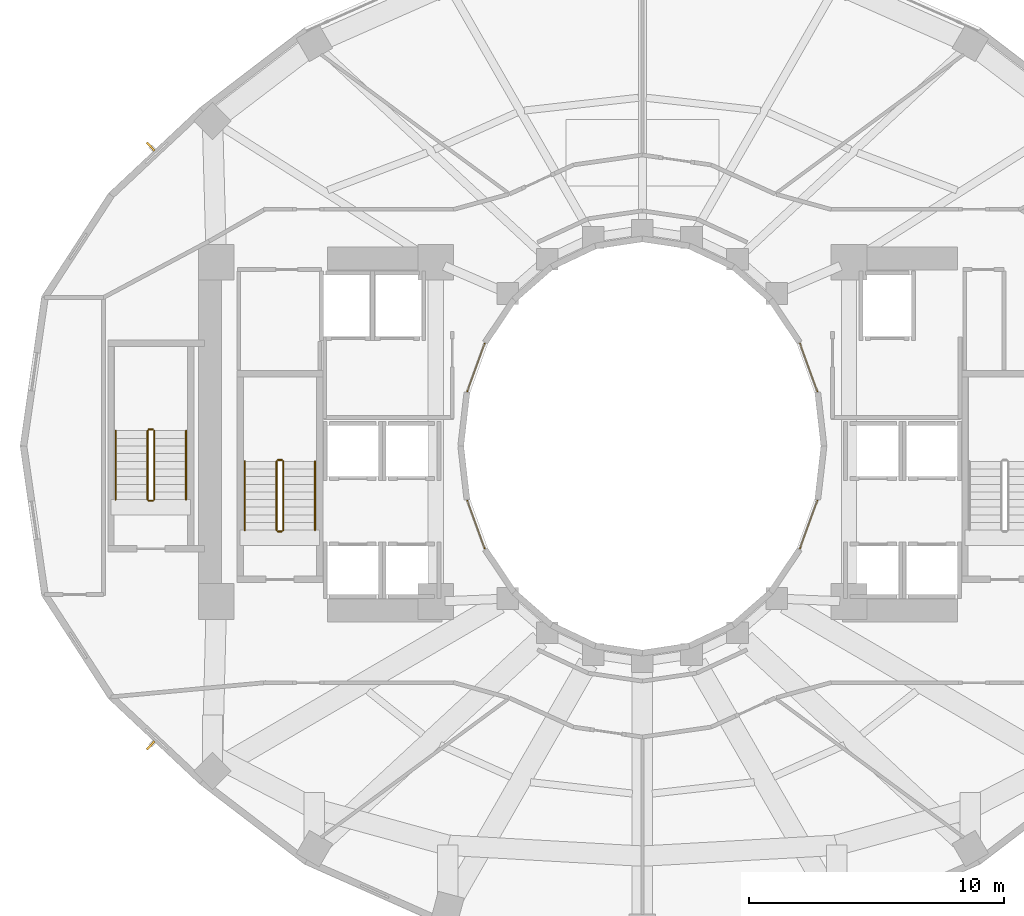
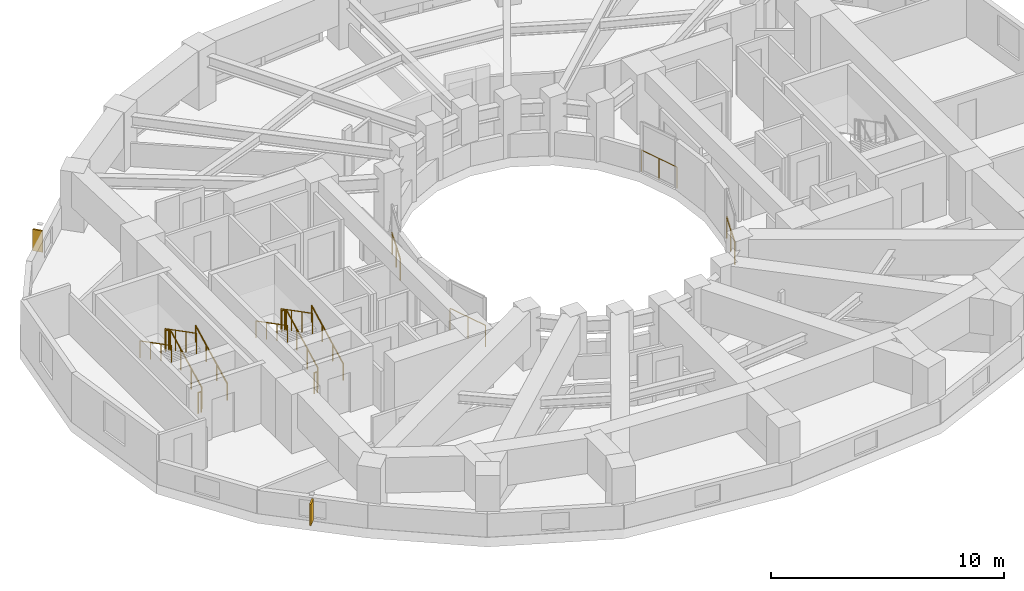
# One storey, part 17 of 19: 16 railings, 2 shading devices.
"""IFC4 building model written with IfcOpenShell, lengths in metres."""

import ifcopenshell
import ifcopenshell.guid

model = None  # the IFC model being written
_history = None  # IfcOwnerHistory: only IFC2X3 demands one
_inside = {}  # id of a spatial element -> (the spatial element, [elements in it])
_under = {}  # id of a project, library or spatial element -> (it, [spatial elements below it])
_declared = {}  # id of a project -> (the project, [libraries it declares])
_typed = {}  # id of a type object -> (the type object, [elements of that type])
_made_of = {}  # id of a material, layer set ... -> (it, [elements and type objects made of it])


def new_model(schema):
    """Start an empty IFC model of exactly this schema.

    Asked for "IFC4X3", IfcOpenShell would pick the latest addendum, in which some entities
    have other attributes; the version numbers below select the first issue.
    IFC2X3 requires an IfcOwnerHistory on every rooted entity: one is made here for all.
    """
    global model, _history
    if schema == "IFC4X3":
        model = ifcopenshell.file(schema_version=(4, 3, 0, 0))
    else:
        model = ifcopenshell.file(schema=schema)
    _inside.clear()
    _under.clear()
    _declared.clear()
    _typed.clear()
    _made_of.clear()
    _history = None
    if model.schema == "IFC2X3":
        org = make("IfcOrganization", Name="unknown")
        user = make(
            "IfcPersonAndOrganization",
            ThePerson=make("IfcPerson", FamilyName="unknown"),
            TheOrganization=org,
        )
        app = make(
            "IfcApplication",
            ApplicationDeveloper=org,
            Version="unknown",
            ApplicationFullName="unknown",
            ApplicationIdentifier="unknown",
        )
        _history = make(
            "IfcOwnerHistory",
            OwningUser=user,
            OwningApplication=app,
            ChangeAction="ADDED",
            CreationDate=0,
        )
    return model


def make(cls, **values):
    """One entity of the class cls with the attributes given. An attribute that is None is left unset."""
    return model.create_entity(
        cls, **{name: value for name, value in values.items() if value is not None}
    )


def rooted(cls, **values):
    """An entity with a GlobalId (a new one), such as an element, a storey or a relation."""
    return make(cls, GlobalId=ifcopenshell.guid.new(), OwnerHistory=_history, **values)


def si_unit(unit_type, name, prefix=None):
    """IfcSIUnit, for example si_unit("LENGTHUNIT", "METRE", prefix="MILLI")."""
    return make("IfcSIUnit", UnitType=unit_type, Prefix=prefix, Name=name)


def assignment(units):
    """IfcUnitAssignment: the units of a project."""
    return None if units is None else make("IfcUnitAssignment", Units=units)


def point(xyz):
    """IfcCartesianPoint."""
    return None if xyz is None else make("IfcCartesianPoint", Coordinates=xyz)


def direction(xyz):
    """IfcDirection."""
    return None if xyz is None else make("IfcDirection", DirectionRatios=xyz)


def frame(location, z_axis=None, x_axis=None):
    """IfcAxis2Placement3D, a coordinate frame: its origin and axes. An axis left out is left unset."""
    return make(
        "IfcAxis2Placement3D",
        Location=point(location),
        Axis=direction(z_axis),
        RefDirection=direction(x_axis),
    )


def frame_2d(location, x_axis=None):
    """IfcAxis2Placement2D, a coordinate frame in the plane: its origin and x axis."""
    return make(
        "IfcAxis2Placement2D", Location=point(location), RefDirection=direction(x_axis)
    )


def origin():
    """The frame at (0, 0, 0) with its axes left unset."""
    return frame((0.0, 0.0, 0.0))


def origin_2d():
    """The frame at (0, 0) in the plane with its x axis left unset."""
    return frame_2d((0.0, 0.0))


def place(relative_to, where):
    """IfcLocalPlacement: puts the frame where relative to a parent placement (None: the world)."""
    return make(
        "IfcLocalPlacement", PlacementRelTo=relative_to, RelativePlacement=where
    )


def context(
    kind, dimensions, precision=None, world=None, true_north=None, identifier=None
):
    """IfcGeometricRepresentationContext, for example the 3D "Model" context."""
    return make(
        "IfcGeometricRepresentationContext",
        ContextIdentifier=identifier,
        ContextType=kind,
        CoordinateSpaceDimension=dimensions,
        Precision=precision,
        WorldCoordinateSystem=world,
        TrueNorth=true_north,
    )


def subcontext(parent, identifier, kind, view, scale=None):
    """IfcGeometricRepresentationSubContext, for example "Body" below "Model"."""
    return make(
        "IfcGeometricRepresentationSubContext",
        ContextIdentifier=identifier,
        ContextType=kind,
        ParentContext=parent,
        TargetScale=scale,
        TargetView=view,
    )


def project(units=None, contexts=None):
    """IfcProject with its units and contexts."""
    return rooted(
        "IfcProject",
        Name="project",
        RepresentationContexts=contexts,
        UnitsInContext=assignment(units),
    )


def spatial(cls, under=None, at=None, **own):
    """A site, building, storey or space (cls), placed at a placement, below another one or the project."""
    s = rooted(cls, ObjectPlacement=at, **own)
    if under is not None:
        _under.setdefault(under.id(), (under, []))[1].append(s)
    return s


def profile(cls, at=None, kind="AREA", **sizes):
    """A parametric profile (cls). Its sizes go by their IFC names, for example OverallWidth=200.0."""
    return make(cls, ProfileType=kind, Position=at, **sizes)


def rectangle(**sizes):
    """IfcRectangleProfileDef."""
    return profile("IfcRectangleProfileDef", **sizes)


def circle(**sizes):
    """IfcCircleProfileDef."""
    return profile("IfcCircleProfileDef", **sizes)


def extrude(swept, where, along, depth):
    """IfcExtrudedAreaSolid: the profile swept, set in the frame where, extruded along a direction by depth."""
    return make(
        "IfcExtrudedAreaSolid",
        SweptArea=swept,
        Position=where,
        ExtrudedDirection=direction(along),
        Depth=depth,
    )


def shape(context_of_items, identifier, shape_type, items):
    """IfcShapeRepresentation: the items that make up one representation, for example the "Body"."""
    return make(
        "IfcShapeRepresentation",
        ContextOfItems=context_of_items,
        RepresentationIdentifier=identifier,
        RepresentationType=shape_type,
        Items=items,
    )


def material(Name=None, Category=None):
    """IfcMaterial."""
    return make("IfcMaterial", Name=Name, Category=Category)


def layer(
    of_material, thickness, ventilated=None, Name=None, Category=None, Priority=None
):
    """IfcMaterialLayer: one layer of a wall or slab, of a material (None: an air gap)."""
    return make(
        "IfcMaterialLayer",
        Material=of_material,
        LayerThickness=thickness,
        IsVentilated=ventilated,
        Name=Name,
        Category=Category,
        Priority=Priority,
    )


def layer_set(layers, Name=None):
    """IfcMaterialLayerSet."""
    return make("IfcMaterialLayerSet", MaterialLayers=layers, LayerSetName=Name)


def made_of(thing, what):
    """Note that an element or type object is made of a material, layer set ...; save() writes the relation."""
    if what is not None:
        _made_of.setdefault(what.id(), (what, []))[1].append(thing)
    return thing


def type_object(cls, material=None, **own):
    """A type object (cls), such as IfcWallType, which elements share."""
    return made_of(rooted(cls, **own), material)


def element(
    cls,
    number,
    at=None,
    inside=None,
    cuts=None,
    type_object=None,
    material=None,
    context=None,
    identifier="Body",
    shape_type=None,
    held_by="IfcProductDefinitionShape",
    body=None,
    shapes=None,
    **own,
):
    """One element of the class cls, such as IfcWall. Its Tag is "e" and its number.

    at: its placement. inside: the storey or other place that contains it. cuts: it is an
    opening in that element (IfcRelVoidsElement). A single representation is given by context,
    identifier, shape_type and body (its items); several are given by shapes. held_by: the class
    of the entity that holds the representations. save() writes the other relations.
    """
    e = rooted(cls, Tag="e%d" % number, ObjectPlacement=at, **own)
    if body is not None:
        shapes = [shape(context, identifier, shape_type, body)]
    if shapes is not None:
        e.Representation = make(held_by, Representations=shapes)
    if inside is not None:
        _inside.setdefault(inside.id(), (inside, []))[1].append(e)
    if cuts is not None:
        rooted(
            "IfcRelVoidsElement", RelatingBuildingElement=cuts, RelatedOpeningElement=e
        )
    if type_object is not None:
        _typed.setdefault(type_object.id(), (type_object, []))[1].append(e)
    return made_of(e, material)


def aggregate(whole, parts):
    """IfcRelAggregates: a whole, such as a stair, and the parts it consists of."""
    return rooted("IfcRelAggregates", RelatingObject=whole, RelatedObjects=parts)


def save(model, path):
    """Write the relations noted so far, then the file.

    IfcRelAggregates (storeys below a building ...), IfcRelContainedInSpatialStructure (elements
    in a storey), IfcRelDefinesByType, IfcRelAssociatesMaterial and IfcRelDeclares: one each for
    every whole, place, type object, material and project.
    """
    for whole, parts in _under.values():
        aggregate(whole, parts)
    for where, things in _inside.values():
        rooted(
            "IfcRelContainedInSpatialStructure",
            RelatedElements=things,
            RelatingStructure=where,
        )
    for kind, things in _typed.values():
        rooted("IfcRelDefinesByType", RelatedObjects=things, RelatingType=kind)
    for what, things in _made_of.values():
        rooted("IfcRelAssociatesMaterial", RelatedObjects=things, RelatingMaterial=what)
    for by, libraries in _declared.values():
        rooted("IfcRelDeclares", RelatingContext=by, RelatedDefinitions=libraries)
    model.write(path)


model = new_model("IFC4")

# Units and contexts
model_context = context("Model", 3, precision=1e-05, world=origin(), true_north=direction((0.0, 1.0)))
body_context = subcontext(model_context, "Body", "Model", "MODEL_VIEW")
ifc_project = project(units=[si_unit("LENGTHUNIT", "METRE"), si_unit("AREAUNIT", "SQUARE_METRE"), si_unit("VOLUMEUNIT", "CUBIC_METRE"), si_unit("PLANEANGLEUNIT", "RADIAN"), si_unit("MASSUNIT", "GRAM", prefix="KILO")], contexts=[model_context])

# Site, building, storey
site_placement = place(None, origin())
site = spatial("IfcSite", under=ifc_project, at=site_placement, CompositionType="ELEMENT")
building_placement = place(site_placement, origin())
building = spatial("IfcBuilding", under=site, at=building_placement, Name="Solvane Sanctuary Tower", CompositionType="ELEMENT")
storey_placement = place(building_placement, frame((0.0, 0.0, 73.199951171875)))
storey = spatial("IfcBuildingStorey", under=building, at=storey_placement, Name="L21", CompositionType="ELEMENT", Elevation=73.199951171875)

# Railings
ifc_material_1 = material(Name="Architectural Stainless Steel 316", Category="steel")
railing_type_1 = type_object("IfcRailingType", Name="Railing GR-BALC-1150", PredefinedType="BALUSTRADE", material=ifc_material_1)
railing_1_placement = place(storey_placement, frame((17.919921875, 19.699951171875, 0.155029296875)))
element("IfcRailing", 1, at=railing_1_placement, inside=storey, type_object=railing_type_1, Name="L21 ST-1 stair guard 1", PredefinedType="BALUSTRADE", context=body_context, shape_type="SweptSolid", body=[
    extrude(circle(Radius=0.02392578125, at=origin_2d()), frame((0.0, 0.0, 1.076171875), z_axis=(0.0, 0.888419900624, 0.459031676658), x_axis=(-1.0, 0.0, 0.0)), (0.0, 0.0, 1.0), 3.0390625),
    extrude(circle(Radius=0.02099609375, at=origin_2d()), origin(), (0.0, 0.0, 1.0), 1.052001953125),
    extrude(circle(Radius=0.02099609375, at=origin_2d()), frame((0.0, 0.89990234375, 0.465087890625)), (0.0, 0.0, 1.0), 1.052001953125),
    extrude(circle(Radius=0.02099609375, at=origin_2d()), frame((0.0, 1.800048828125, 0.929931640625)), (0.0, 0.0, 1.0), 1.052001953125),
    extrude(circle(Radius=0.02099609375, at=origin_2d()), frame((0.0, 2.699951171875, 1.39501953125)), (0.0, 0.0, 1.0), 1.052001953125),
])
railing_2_placement = place(storey_placement, frame((17.8701171875, 22.449951171875, 1.550048828125)))
element("IfcRailing", 2, at=railing_2_placement, inside=storey, type_object=railing_type_1, Name="L21 ST-1 stair guard 2", PredefinedType="BALUSTRADE", context=body_context, shape_type="SweptSolid", body=[
    extrude(circle(Radius=0.02392578125, at=origin_2d()), frame((0.0, 0.0, 1.076171875), z_axis=(-1.0, 0.0, 0.0), x_axis=(0.0, -1.0, 0.0)), (0.0, 0.0, 1.0), 0.16015625),
    extrude(circle(Radius=0.02099609375, at=origin_2d()), origin(), (0.0, 0.0, 1.0), 1.052001953125),
    extrude(circle(Radius=0.02099609375, at=origin_2d()), frame((-0.16015625, 0.0, 0.0)), (0.0, 0.0, 1.0), 1.052001953125),
])
railing_3_placement = place(storey_placement, frame((17.659912109375, 22.39990234375, 1.705078125)))
element("IfcRailing", 3, at=railing_3_placement, inside=storey, type_object=railing_type_1, Name="L21 ST-1 stair guard 3", PredefinedType="BALUSTRADE", context=body_context, shape_type="SweptSolid", body=[
    extrude(circle(Radius=0.02392578125, at=origin_2d()), frame((0.0, 0.0, 1.076171875), z_axis=(0.0, -0.888419900624, 0.459031676658), x_axis=(1.0, 0.0, 0.0)), (0.0, 0.0, 1.0), 3.0390625),
    extrude(circle(Radius=0.02099609375, at=origin_2d()), origin(), (0.0, 0.0, 1.0), 1.052001953125),
    extrude(circle(Radius=0.02099609375, at=origin_2d()), frame((0.0, -0.89990234375, 0.465087890625)), (0.0, 0.0, 1.0), 1.052001953125),
    extrude(circle(Radius=0.02099609375, at=origin_2d()), frame((0.0, -1.800048828125, 0.929931640625)), (0.0, 0.0, 1.0), 1.052001953125),
    extrude(circle(Radius=0.02099609375, at=origin_2d()), frame((0.0, -2.699951171875, 1.39501953125)), (0.0, 0.0, 1.0), 1.052001953125),
])
railing_4_placement = place(storey_placement, frame((17.8701171875, 19.64990234375, 0.0)))
element("IfcRailing", 4, at=railing_4_placement, inside=storey, type_object=railing_type_1, Name="L21 ST-1 stair guard 4", PredefinedType="BALUSTRADE", context=body_context, shape_type="SweptSolid", body=[
    extrude(circle(Radius=0.02392578125, at=origin_2d()), frame((0.0, 0.0, 1.076171875), z_axis=(-1.0, 0.0, 0.0), x_axis=(0.0, -1.0, 0.0)), (0.0, 0.0, 1.0), 0.16015625),
    extrude(circle(Radius=0.02099609375, at=origin_2d()), origin(), (0.0, 0.0, 1.0), 1.052001953125),
    extrude(circle(Radius=0.02099609375, at=origin_2d()), frame((-0.16015625, 0.0, 0.0)), (0.0, 0.0, 1.0), 1.052001953125),
])
railing_5_placement = place(storey_placement, frame((12.860107421875, 20.89990234375, 0.155029296875)))
element("IfcRailing", 5, at=railing_5_placement, inside=storey, type_object=railing_type_1, Name="L21 ST-3 stair guard 1", PredefinedType="BALUSTRADE", context=body_context, shape_type="SweptSolid", body=[
    extrude(circle(Radius=0.02392578125, at=origin_2d()), frame((0.0, 0.0, 1.076171875), z_axis=(0.0, 0.888436826113, 0.458998917216), x_axis=(-1.0, 0.0, 0.0)), (0.0, 0.0, 1.0), 3.039306640625),
    extrude(circle(Radius=0.02099609375, at=origin_2d()), origin(), (0.0, 0.0, 1.0), 1.052001953125),
    extrude(circle(Radius=0.02099609375, at=origin_2d()), frame((0.0, 0.900146484375, 0.465087890625)), (0.0, 0.0, 1.0), 1.052001953125),
    extrude(circle(Radius=0.02099609375, at=origin_2d()), frame((0.0, 1.800048828125, 0.929931640625)), (0.0, 0.0, 1.0), 1.052001953125),
    extrude(circle(Radius=0.02099609375, at=origin_2d()), frame((0.0, 2.7001953125, 1.39501953125)), (0.0, 0.0, 1.0), 1.052001953125),
])
railing_6_placement = place(storey_placement, frame((12.81005859375, 23.64990234375, 1.550048828125)))
element("IfcRailing", 6, at=railing_6_placement, inside=storey, type_object=railing_type_1, Name="L21 ST-3 stair guard 2", PredefinedType="BALUSTRADE", context=body_context, shape_type="SweptSolid", body=[
    extrude(circle(Radius=0.02392578125, at=origin_2d()), frame((0.0, 0.0, 1.076171875), z_axis=(-1.0, 0.0, 0.0), x_axis=(0.0, -1.0, 0.0)), (0.0, 0.0, 1.0), 0.16015625),
    extrude(circle(Radius=0.02099609375, at=origin_2d()), origin(), (0.0, 0.0, 1.0), 1.052001953125),
    extrude(circle(Radius=0.02099609375, at=origin_2d()), frame((-0.16015625, 0.0, 0.0)), (0.0, 0.0, 1.0), 1.052001953125),
])
railing_7_placement = place(storey_placement, frame((12.60009765625, 23.60009765625, 1.705078125)))
element("IfcRailing", 7, at=railing_7_placement, inside=storey, type_object=railing_type_1, Name="L21 ST-3 stair guard 3", PredefinedType="BALUSTRADE", context=body_context, shape_type="SweptSolid", body=[
    extrude(circle(Radius=0.02392578125, at=origin_2d()), frame((0.0, 0.0, 1.076171875), z_axis=(0.0, -0.888436826113, 0.458998917216), x_axis=(1.0, 0.0, 0.0)), (0.0, 0.0, 1.0), 3.039306640625),
    extrude(circle(Radius=0.02099609375, at=origin_2d()), origin(), (0.0, 0.0, 1.0), 1.052001953125),
    extrude(circle(Radius=0.02099609375, at=origin_2d()), frame((0.0, -0.900146484375, 0.465087890625)), (0.0, 0.0, 1.0), 1.052001953125),
    extrude(circle(Radius=0.02099609375, at=origin_2d()), frame((0.0, -1.800048828125, 0.929931640625)), (0.0, 0.0, 1.0), 1.052001953125),
    extrude(circle(Radius=0.02099609375, at=origin_2d()), frame((0.0, -2.7001953125, 1.39501953125)), (0.0, 0.0, 1.0), 1.052001953125),
])
railing_8_placement = place(storey_placement, frame((12.81005859375, 20.85009765625, 0.0)))
element("IfcRailing", 8, at=railing_8_placement, inside=storey, type_object=railing_type_1, Name="L21 ST-3 stair guard 4", PredefinedType="BALUSTRADE", context=body_context, shape_type="SweptSolid", body=[
    extrude(circle(Radius=0.02392578125, at=origin_2d()), frame((0.0, 0.0, 1.076171875), z_axis=(-1.0, 0.0, 0.0), x_axis=(0.0, -1.0, 0.0)), (0.0, 0.0, 1.0), 0.16015625),
    extrude(circle(Radius=0.02099609375, at=origin_2d()), origin(), (0.0, 0.0, 1.0), 1.052001953125),
    extrude(circle(Radius=0.02099609375, at=origin_2d()), frame((-0.16015625, 0.0, 0.0)), (0.0, 0.0, 1.0), 1.052001953125),
])
railing_type_2 = type_object("IfcRailingType", Name="Railing GR-WELL-1150", PredefinedType="GUARDRAIL", material=ifc_material_1)
railing_9_placement = place(storey_placement, frame((38.8603515625, 25.148681640625, 0.0)))
element("IfcRailing", 9, at=railing_9_placement, inside=storey, type_object=railing_type_2, Name="L21 Light-Well Glazing Sill Guard 01", PredefinedType="GUARDRAIL", context=body_context, shape_type="SweptSolid", body=[
    extrude(circle(Radius=0.02392578125, at=origin_2d()), frame((0.0, 0.0, 1.1259765625), z_axis=(-0.341446556351, 0.939901191166, 0.0), x_axis=(-0.939901191166, -0.341446556351, 0.0)), (0.0, 0.0, 1.0), 1.9833984375),
    extrude(circle(Radius=0.02099609375, at=origin_2d()), origin(), (0.0, 0.0, 1.0), 1.101806640625),
    extrude(circle(Radius=0.02099609375, at=origin_2d()), frame((-0.338623046875, 0.93212890625, 0.0)), (0.0, 0.0, 1.0), 1.101806640625),
    extrude(circle(Radius=0.02099609375, at=origin_2d()), frame((-0.67724609375, 1.8642578125, 0.0)), (0.0, 0.0, 1.0), 1.101806640625),
])
railing_10_placement = place(storey_placement, frame((25.81689453125, 27.012939453125, 0.0)))
element("IfcRailing", 10, at=railing_10_placement, inside=storey, type_object=railing_type_2, Name="L21 Light-Well Glazing Sill Guard 10", PredefinedType="GUARDRAIL", context=body_context, shape_type="SweptSolid", body=[
    extrude(circle(Radius=0.02392578125, at=origin_2d()), frame((0.0, 0.0, 1.1259765625), z_axis=(-0.341446556351, -0.939901191166, 0.0), x_axis=(0.939901191166, -0.341446556351, 0.0)), (0.0, 0.0, 1.0), 1.9833984375),
    extrude(circle(Radius=0.02099609375, at=origin_2d()), origin(), (0.0, 0.0, 1.0), 1.101806640625),
    extrude(circle(Radius=0.02099609375, at=origin_2d()), frame((-0.338623046875, -0.93212890625, 0.0)), (0.0, 0.0, 1.0), 1.101806640625),
    extrude(circle(Radius=0.02099609375, at=origin_2d()), frame((-0.67724609375, -1.8642578125, 0.0)), (0.0, 0.0, 1.0), 1.101806640625),
])
railing_11_placement = place(storey_placement, frame((25.1396484375, 20.851318359375, 0.0)))
element("IfcRailing", 11, at=railing_11_placement, inside=storey, type_object=railing_type_2, Name="L21 Light-Well Glazing Sill Guard 13", PredefinedType="GUARDRAIL", context=body_context, shape_type="SweptSolid", body=[
    extrude(circle(Radius=0.02392578125, at=origin_2d()), frame((0.0, 0.0, 1.1259765625), z_axis=(0.341446556351, -0.939901191166, 0.0), x_axis=(0.939901191166, 0.341446556351, 0.0)), (0.0, 0.0, 1.0), 1.9833984375),
    extrude(circle(Radius=0.02099609375, at=origin_2d()), origin(), (0.0, 0.0, 1.0), 1.101806640625),
    extrude(circle(Radius=0.02099609375, at=origin_2d()), frame((0.338623046875, -0.93212890625, 0.0)), (0.0, 0.0, 1.0), 1.101806640625),
    extrude(circle(Radius=0.02099609375, at=origin_2d()), frame((0.67724609375, -1.8642578125, 0.0)), (0.0, 0.0, 1.0), 1.101806640625),
])
railing_12_placement = place(storey_placement, frame((38.18310546875, 18.987060546875, 0.0)))
element("IfcRailing", 12, at=railing_12_placement, inside=storey, type_object=railing_type_2, Name="L21 Light-Well Glazing Sill Guard 22", PredefinedType="GUARDRAIL", context=body_context, shape_type="SweptSolid", body=[
    extrude(circle(Radius=0.02392578125, at=origin_2d()), frame((0.0, 0.0, 1.1259765625), z_axis=(0.341446556351, 0.939901191166, 0.0), x_axis=(-0.939901191166, 0.341446556351, 0.0)), (0.0, 0.0, 1.0), 1.9833984375),
    extrude(circle(Radius=0.02099609375, at=origin_2d()), origin(), (0.0, 0.0, 1.0), 1.101806640625),
    extrude(circle(Radius=0.02099609375, at=origin_2d()), frame((0.338623046875, 0.93212890625, 0.0)), (0.0, 0.0, 1.0), 1.101806640625),
    extrude(circle(Radius=0.02099609375, at=origin_2d()), frame((0.67724609375, 1.8642578125, 0.0)), (0.0, 0.0, 1.0), 1.101806640625),
])
railing_type_3 = type_object("IfcRailingType", Name="Railing HR-STAIR-920", PredefinedType="HANDRAIL", material=ifc_material_1)
railing_13_placement = place(storey_placement, frame((19.169921875, 19.699951171875, 0.155029296875)))
element("IfcRailing", 13, at=railing_13_placement, inside=storey, type_object=railing_type_3, Name="L21 ST-1 stair handrail 1", PredefinedType="HANDRAIL", context=body_context, shape_type="SweptSolid", body=[
    extrude(circle(Radius=0.02392578125, at=origin_2d()), frame((0.0, 0.0, 0.8759765625), z_axis=(0.0, 0.888419900624, 0.459031676658), x_axis=(-1.0, 0.0, 0.0)), (0.0, 0.0, 1.0), 3.0390625),
    extrude(circle(Radius=0.02099609375, at=origin_2d()), origin(), (0.0, 0.0, 1.0), 0.851806640625),
    extrude(circle(Radius=0.02099609375, at=origin_2d()), frame((0.0, 0.89990234375, 0.465087890625)), (0.0, 0.0, 1.0), 0.851806640625),
    extrude(circle(Radius=0.02099609375, at=origin_2d()), frame((0.0, 1.800048828125, 0.929931640625)), (0.0, 0.0, 1.0), 0.851806640625),
    extrude(circle(Radius=0.02099609375, at=origin_2d()), frame((0.0, 2.699951171875, 1.39501953125)), (0.0, 0.0, 1.0), 0.851806640625),
])
railing_14_placement = place(storey_placement, frame((16.409912109375, 22.39990234375, 1.705078125)))
element("IfcRailing", 14, at=railing_14_placement, inside=storey, type_object=railing_type_3, Name="L21 ST-1 stair handrail 2", PredefinedType="HANDRAIL", context=body_context, shape_type="SweptSolid", body=[
    extrude(circle(Radius=0.02392578125, at=origin_2d()), frame((0.0, 0.0, 0.8759765625), z_axis=(0.0, -0.888419900624, 0.459031676658), x_axis=(1.0, 0.0, 0.0)), (0.0, 0.0, 1.0), 3.0390625),
    extrude(circle(Radius=0.02099609375, at=origin_2d()), origin(), (0.0, 0.0, 1.0), 0.851806640625),
    extrude(circle(Radius=0.02099609375, at=origin_2d()), frame((0.0, -0.89990234375, 0.465087890625)), (0.0, 0.0, 1.0), 0.851806640625),
    extrude(circle(Radius=0.02099609375, at=origin_2d()), frame((0.0, -1.800048828125, 0.929931640625)), (0.0, 0.0, 1.0), 0.851806640625),
    extrude(circle(Radius=0.02099609375, at=origin_2d()), frame((0.0, -2.699951171875, 1.39501953125)), (0.0, 0.0, 1.0), 0.851806640625),
])
railing_15_placement = place(storey_placement, frame((14.110107421875, 20.89990234375, 0.155029296875)))
element("IfcRailing", 15, at=railing_15_placement, inside=storey, type_object=railing_type_3, Name="L21 ST-3 stair handrail 1", PredefinedType="HANDRAIL", context=body_context, shape_type="SweptSolid", body=[
    extrude(circle(Radius=0.02392578125, at=origin_2d()), frame((0.0, 0.0, 0.8759765625), z_axis=(0.0, 0.888436826113, 0.458998917216), x_axis=(-1.0, 0.0, 0.0)), (0.0, 0.0, 1.0), 3.039306640625),
    extrude(circle(Radius=0.02099609375, at=origin_2d()), origin(), (0.0, 0.0, 1.0), 0.851806640625),
    extrude(circle(Radius=0.02099609375, at=origin_2d()), frame((0.0, 0.900146484375, 0.465087890625)), (0.0, 0.0, 1.0), 0.851806640625),
    extrude(circle(Radius=0.02099609375, at=origin_2d()), frame((0.0, 1.800048828125, 0.929931640625)), (0.0, 0.0, 1.0), 0.851806640625),
    extrude(circle(Radius=0.02099609375, at=origin_2d()), frame((0.0, 2.7001953125, 1.39501953125)), (0.0, 0.0, 1.0), 0.851806640625),
])
railing_16_placement = place(storey_placement, frame((11.35009765625, 23.60009765625, 1.705078125)))
element("IfcRailing", 16, at=railing_16_placement, inside=storey, type_object=railing_type_3, Name="L21 ST-3 stair handrail 2", PredefinedType="HANDRAIL", context=body_context, shape_type="SweptSolid", body=[
    extrude(circle(Radius=0.02392578125, at=origin_2d()), frame((0.0, 0.0, 0.8759765625), z_axis=(0.0, -0.888436826113, 0.458998917216), x_axis=(1.0, 0.0, 0.0)), (0.0, 0.0, 1.0), 3.039306640625),
    extrude(circle(Radius=0.02099609375, at=origin_2d()), origin(), (0.0, 0.0, 1.0), 0.851806640625),
    extrude(circle(Radius=0.02099609375, at=origin_2d()), frame((0.0, -0.900146484375, 0.465087890625)), (0.0, 0.0, 1.0), 0.851806640625),
    extrude(circle(Radius=0.02099609375, at=origin_2d()), frame((0.0, -1.800048828125, 0.929931640625)), (0.0, 0.0, 1.0), 0.851806640625),
    extrude(circle(Radius=0.02099609375, at=origin_2d()), frame((0.0, -2.7001953125, 1.39501953125)), (0.0, 0.0, 1.0), 0.851806640625),
])

# Shading devices
ifc_material_2 = material(Name="Anodised Aluminium 6063-T6", Category="aluminium")
ifc_layer = layer(ifc_material_2, 0.080078125, Name="Anodised Aluminium 6063-T6")
ifc_layer_set = layer_set([ifc_layer], Name="Anodised Aluminium 6063-T6")
shading_device_type = type_object("IfcShadingDeviceType", Name="Shading SHD-FIN", PredefinedType="USERDEFINED", material=ifc_layer_set)
for number, where, z_axis, x_axis, name in (
    (17, (12.724609375, 34.73828125, 0.050048828125), (0.0, 0.0, 1.0), (-0.730175394401, -0.683259755445, 0.0), "L21 Aerodynamic Vertical Fin 09"),
    (18, (12.724609375, 11.26171875, 0.050048828125), (0.0, 0.0, 1.0), (0.730175394401, -0.683259755445, 0.0), "L21 Aerodynamic Vertical Fin 14"),
):
    element("IfcShadingDevice", number, at=place(storey_placement, frame(where, z_axis=z_axis, x_axis=x_axis)), inside=storey, type_object=shading_device_type, Name=name, ObjectType="FIN", PredefinedType="USERDEFINED", context=body_context, shape_type="SweptSolid", body=[
        extrude(rectangle(XDim=0.080078125, YDim=0.449951171875, at=origin_2d()), origin(), (0.0, 0.0, 1.0), 1.1201171875),
    ])

save(model, "model.ifc")
